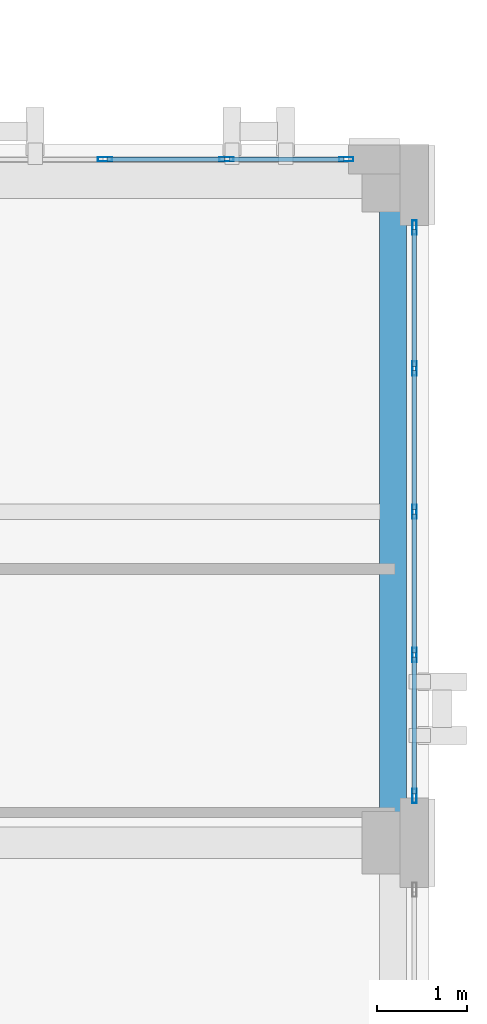
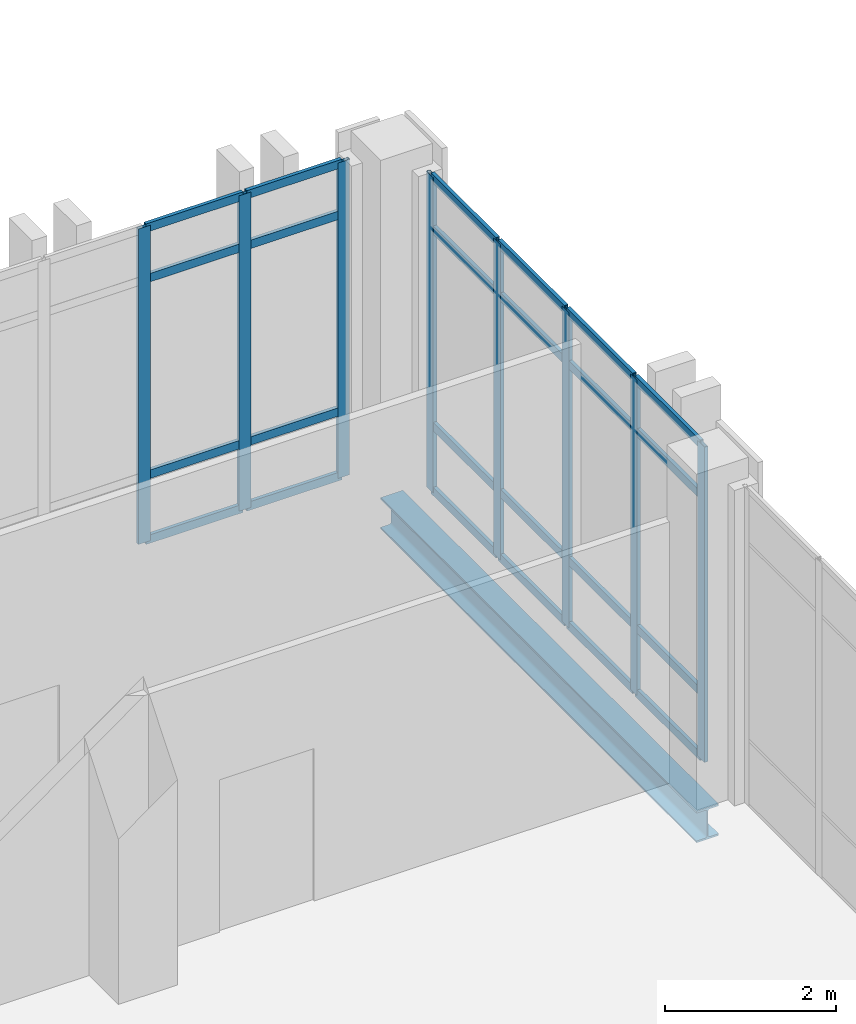
# One storey, part 128 of 189: 32 members, 1 beam, 2 elements without a shape of their own.
"""IFC4 building model written with IfcOpenShell, lengths in metres."""

from ifc_helpers import new_model, si_unit, direction, frame, origin, origin_2d, place, context, subcontext, project, spatial, hollow_rectangle, i_section, extrude, material, layer, layer_set, material_profile, profile_set, type_object, element, aggregate, save


model = new_model("IFC4")

# Units and contexts
model_context = context("Model", 3, precision=1e-05, world=origin(), true_north=direction((0.0, 1.0)))
body_context = subcontext(model_context, "Body", "Model", "MODEL_VIEW")
ifc_project = project(units=[si_unit("LENGTHUNIT", "METRE"), si_unit("AREAUNIT", "SQUARE_METRE"), si_unit("VOLUMEUNIT", "CUBIC_METRE"), si_unit("PLANEANGLEUNIT", "RADIAN"), si_unit("MASSUNIT", "GRAM", prefix="KILO")], contexts=[model_context])

# Site, building, storey
site_placement = place(None, origin())
site = spatial("IfcSite", under=ifc_project, at=site_placement, CompositionType="ELEMENT")
building_placement = place(site_placement, origin())
building = spatial("IfcBuilding", under=site, at=building_placement, Name="Qalavern Law Courts", CompositionType="ELEMENT")
storey_placement = place(building_placement, frame((0.0, 0.0, 5.39990234375)))
storey = spatial("IfcBuildingStorey", under=building, at=storey_placement, Name="L01", CompositionType="ELEMENT", Elevation=5.39990234375)

# Curtain wall, members
ifc_material_1 = material(Name="Anodised aluminium and insulated glazing", Category="aluminium")
ifc_layer = layer(ifc_material_1, 0.172119140625)
ifc_layer_set = layer_set([ifc_layer], Name="Anodised aluminium and insulated glazing")
curtain_wall_type = type_object("IfcCurtainWallType", Name="ENV-CW-COURT", PredefinedType="USERDEFINED", material=ifc_layer_set)
curtain_wall_1_placement = place(storey_placement, origin())
curtain_wall_1 = element("IfcCurtainWall", 1, at=curtain_wall_1_placement, inside=storey, type_object=curtain_wall_type, Name="V6 unitised curtain wall L01 east 3", ObjectType="UNITISED CURTAIN WALL", PredefinedType="USERDEFINED")
ifc_material_2 = material(Name="Anodised aluminium", Category="aluminium")
ifc_material_profile_1 = material_profile(ifc_material_2, hollow_rectangle(XDim=0.048095703125, YDim=0.159912109375, WallThickness=0.00390625, at=origin_2d()), Name="ALU MULLION 48x160")
ifc_profile_set_1 = profile_set([ifc_material_profile_1], Name="Anodised aluminium")
member_type_1 = type_object("IfcMemberType", Name="ENV-CWM-48x160", PredefinedType="MULLION", material=ifc_profile_set_1)
member_1_placement = place(storey_placement, frame((165.83740234375, 15.323974609375, 0.0), z_axis=(0.0, 0.0, 1.0), x_axis=(-1.0, 0.0, 0.0)))
member_1 = element("IfcMember", 2, at=member_1_placement, type_object=member_type_1, Name="CW-03 mullion 1", PredefinedType="MULLION", context=body_context, shape_type="SweptSolid", body=[
    extrude(hollow_rectangle(XDim=0.048095703125, YDim=0.159912109375, WallThickness=0.00390625, at=origin_2d()), origin(), (0.0, 0.0, 1.0), 4.510009765625),
])
member_2_placement = place(storey_placement, frame((165.83740234375, 16.89990234375, 0.0), z_axis=(0.0, 0.0, 1.0), x_axis=(-1.0, 0.0, 0.0)))
member_2 = element("IfcMember", 3, at=member_2_placement, type_object=member_type_1, Name="CW-03 mullion 2", PredefinedType="MULLION", context=body_context, shape_type="SweptSolid", body=[
    extrude(hollow_rectangle(XDim=0.048095703125, YDim=0.159912109375, WallThickness=0.00390625, at=origin_2d()), origin(), (0.0, 0.0, 1.0), 4.510009765625),
])
member_3_placement = place(storey_placement, frame((165.83740234375, 18.5, 0.0), z_axis=(0.0, 0.0, 1.0), x_axis=(-1.0, 0.0, 0.0)))
member_3 = element("IfcMember", 4, at=member_3_placement, type_object=member_type_1, Name="CW-03 mullion 3", PredefinedType="MULLION", context=body_context, shape_type="SweptSolid", body=[
    extrude(hollow_rectangle(XDim=0.048095703125, YDim=0.159912109375, WallThickness=0.00390625, at=origin_2d()), origin(), (0.0, 0.0, 1.0), 4.510009765625),
])
member_4_placement = place(storey_placement, frame((165.83740234375, 20.10009765625, 0.0), z_axis=(0.0, 0.0, 1.0), x_axis=(-1.0, 0.0, 0.0)))
member_4 = element("IfcMember", 5, at=member_4_placement, type_object=member_type_1, Name="CW-03 mullion 4", PredefinedType="MULLION", context=body_context, shape_type="SweptSolid", body=[
    extrude(hollow_rectangle(XDim=0.048095703125, YDim=0.159912109375, WallThickness=0.00390625, at=origin_2d()), origin(), (0.0, 0.0, 1.0), 4.510009765625),
])
member_5_placement = place(storey_placement, frame((165.83740234375, 21.676025390625, 0.0), z_axis=(0.0, 0.0, 1.0), x_axis=(-1.0, 0.0, 0.0)))
member_5 = element("IfcMember", 6, at=member_5_placement, type_object=member_type_1, Name="CW-03 mullion 5", PredefinedType="MULLION", context=body_context, shape_type="SweptSolid", body=[
    extrude(hollow_rectangle(XDim=0.048095703125, YDim=0.159912109375, WallThickness=0.00390625, at=origin_2d()), origin(), (0.0, 0.0, 1.0), 4.510009765625),
])

curtain_wall_2_placement = place(storey_placement, origin())
curtain_wall_2 = element("IfcCurtainWall", 7, at=curtain_wall_2_placement, inside=storey, type_object=curtain_wall_type, Name="V6 unitised curtain wall L01 north 1", ObjectType="UNITISED CURTAIN WALL", PredefinedType="USERDEFINED")
member_6_placement = place(storey_placement, frame((165.075927734375, 22.4375, 0.0), z_axis=(0.0, 0.0, 1.0), x_axis=(0.0, -1.0, 0.0)))
member_6 = element("IfcMember", 8, at=member_6_placement, type_object=member_type_1, Name="CW-03 mullion 1", PredefinedType="MULLION", context=body_context, shape_type="SweptSolid", body=[
    extrude(hollow_rectangle(XDim=0.048095703125, YDim=0.159912109375, WallThickness=0.00390625, at=origin_2d()), origin(), (0.0, 0.0, 1.0), 4.510009765625),
])
member_7_placement = place(storey_placement, frame((163.739990234375, 22.4375, 0.0), z_axis=(0.0, 0.0, 1.0), x_axis=(0.0, -1.0, 0.0)))
member_7 = element("IfcMember", 9, at=member_7_placement, type_object=member_type_1, Name="CW-03 mullion 2", PredefinedType="MULLION", context=body_context, shape_type="SweptSolid", body=[
    extrude(hollow_rectangle(XDim=0.048095703125, YDim=0.159912109375, WallThickness=0.00390625, at=origin_2d()), origin(), (0.0, 0.0, 1.0), 4.510009765625),
])
member_8_placement = place(storey_placement, frame((162.3798828125, 22.4375, 0.0), z_axis=(0.0, 0.0, 1.0), x_axis=(0.0, -1.0, 0.0)))
member_8 = element("IfcMember", 10, at=member_8_placement, type_object=member_type_1, Name="CW-03 mullion 3", PredefinedType="MULLION", context=body_context, shape_type="SweptSolid", body=[
    extrude(hollow_rectangle(XDim=0.048095703125, YDim=0.159912109375, WallThickness=0.00390625, at=origin_2d()), origin(), (0.0, 0.0, 1.0), 4.510009765625),
])

# Member
ifc_material_profile_2 = material_profile(ifc_material_2, hollow_rectangle(XDim=0.048095703125, YDim=0.1201171875, WallThickness=0.00390625, at=origin_2d()), Name="ALU TRANSOM 48x120")
ifc_profile_set_2 = profile_set([ifc_material_profile_2], Name="Anodised aluminium")
member_type_2 = type_object("IfcMemberType", Name="ENV-CWT-48x120", PredefinedType="USERDEFINED", material=ifc_profile_set_2)
member_9_placement = place(storey_placement, frame((165.83740234375, 15.347900390625, 0.024169921875), z_axis=(0.0, 1.0, 0.0), x_axis=(-1.0, 0.0, 0.0)))
member_9 = element("IfcMember", 11, at=member_9_placement, type_object=member_type_2, Name="CW-03 transom 1.1", ObjectType="TRANSOM", PredefinedType="USERDEFINED", context=body_context, shape_type="SweptSolid", body=[
    extrude(hollow_rectangle(XDim=0.048095703125, YDim=0.1201171875, WallThickness=0.00390625, at=origin_2d()), origin(), (0.0, 0.0, 1.0), 1.528076171875),
])

member_10_placement = place(storey_placement, frame((165.83740234375, 15.347900390625, 0.9501953125), z_axis=(0.0, 1.0, 0.0), x_axis=(-1.0, 0.0, 0.0)))
member_10 = element("IfcMember", 12, at=member_10_placement, type_object=member_type_2, Name="CW-03 transom 1.2", ObjectType="TRANSOM", PredefinedType="USERDEFINED", context=body_context, shape_type="SweptSolid", body=[
    extrude(hollow_rectangle(XDim=0.048095703125, YDim=0.1201171875, WallThickness=0.00390625, at=origin_2d()), origin(), (0.0, 0.0, 1.0), 1.528076171875),
])

member_11_placement = place(storey_placement, frame((165.83740234375, 15.347900390625, 3.760009765625), z_axis=(0.0, 1.0, 0.0), x_axis=(-1.0, 0.0, 0.0)))
member_11 = element("IfcMember", 13, at=member_11_placement, type_object=member_type_2, Name="CW-03 transom 1.3", ObjectType="TRANSOM", PredefinedType="USERDEFINED", context=body_context, shape_type="SweptSolid", body=[
    extrude(hollow_rectangle(XDim=0.048095703125, YDim=0.1201171875, WallThickness=0.00390625, at=origin_2d()), origin(), (0.0, 0.0, 1.0), 1.528076171875),
])

member_12_placement = place(storey_placement, frame((165.83740234375, 15.347900390625, 4.486083984375), z_axis=(0.0, 1.0, 0.0), x_axis=(-1.0, 0.0, 0.0)))
member_12 = element("IfcMember", 14, at=member_12_placement, type_object=member_type_2, Name="CW-03 transom 1.4", ObjectType="TRANSOM", PredefinedType="USERDEFINED", context=body_context, shape_type="SweptSolid", body=[
    extrude(hollow_rectangle(XDim=0.048095703125, YDim=0.1201171875, WallThickness=0.00390625, at=origin_2d()), origin(), (0.0, 0.0, 1.0), 1.528076171875),
])

member_13_placement = place(storey_placement, frame((165.83740234375, 16.924072265625, 0.024169921875), z_axis=(0.0, 1.0, 0.0), x_axis=(-1.0, 0.0, 0.0)))
member_13 = element("IfcMember", 15, at=member_13_placement, type_object=member_type_2, Name="CW-03 transom 2.1", ObjectType="TRANSOM", PredefinedType="USERDEFINED", context=body_context, shape_type="SweptSolid", body=[
    extrude(hollow_rectangle(XDim=0.048095703125, YDim=0.1201171875, WallThickness=0.00390625, at=origin_2d()), origin(), (0.0, 0.0, 1.0), 1.552001953125),
])

member_14_placement = place(storey_placement, frame((165.83740234375, 16.924072265625, 0.9501953125), z_axis=(0.0, 1.0, 0.0), x_axis=(-1.0, 0.0, 0.0)))
member_14 = element("IfcMember", 16, at=member_14_placement, type_object=member_type_2, Name="CW-03 transom 2.2", ObjectType="TRANSOM", PredefinedType="USERDEFINED", context=body_context, shape_type="SweptSolid", body=[
    extrude(hollow_rectangle(XDim=0.048095703125, YDim=0.1201171875, WallThickness=0.00390625, at=origin_2d()), origin(), (0.0, 0.0, 1.0), 1.552001953125),
])

member_15_placement = place(storey_placement, frame((165.83740234375, 16.924072265625, 3.760009765625), z_axis=(0.0, 1.0, 0.0), x_axis=(-1.0, 0.0, 0.0)))
member_15 = element("IfcMember", 17, at=member_15_placement, type_object=member_type_2, Name="CW-03 transom 2.3", ObjectType="TRANSOM", PredefinedType="USERDEFINED", context=body_context, shape_type="SweptSolid", body=[
    extrude(hollow_rectangle(XDim=0.048095703125, YDim=0.1201171875, WallThickness=0.00390625, at=origin_2d()), origin(), (0.0, 0.0, 1.0), 1.552001953125),
])

member_16_placement = place(storey_placement, frame((165.83740234375, 16.924072265625, 4.486083984375), z_axis=(0.0, 1.0, 0.0), x_axis=(-1.0, 0.0, 0.0)))
member_16 = element("IfcMember", 18, at=member_16_placement, type_object=member_type_2, Name="CW-03 transom 2.4", ObjectType="TRANSOM", PredefinedType="USERDEFINED", context=body_context, shape_type="SweptSolid", body=[
    extrude(hollow_rectangle(XDim=0.048095703125, YDim=0.1201171875, WallThickness=0.00390625, at=origin_2d()), origin(), (0.0, 0.0, 1.0), 1.552001953125),
])

member_17_placement = place(storey_placement, frame((165.83740234375, 18.52392578125, 0.024169921875), z_axis=(0.0, 1.0, 0.0), x_axis=(-1.0, 0.0, 0.0)))
member_17 = element("IfcMember", 19, at=member_17_placement, type_object=member_type_2, Name="CW-03 transom 3.1", ObjectType="TRANSOM", PredefinedType="USERDEFINED", context=body_context, shape_type="SweptSolid", body=[
    extrude(hollow_rectangle(XDim=0.048095703125, YDim=0.1201171875, WallThickness=0.00390625, at=origin_2d()), origin(), (0.0, 0.0, 1.0), 1.552001953125),
])

member_18_placement = place(storey_placement, frame((165.83740234375, 18.52392578125, 0.9501953125), z_axis=(0.0, 1.0, 0.0), x_axis=(-1.0, 0.0, 0.0)))
member_18 = element("IfcMember", 20, at=member_18_placement, type_object=member_type_2, Name="CW-03 transom 3.2", ObjectType="TRANSOM", PredefinedType="USERDEFINED", context=body_context, shape_type="SweptSolid", body=[
    extrude(hollow_rectangle(XDim=0.048095703125, YDim=0.1201171875, WallThickness=0.00390625, at=origin_2d()), origin(), (0.0, 0.0, 1.0), 1.552001953125),
])

member_19_placement = place(storey_placement, frame((165.83740234375, 18.52392578125, 3.760009765625), z_axis=(0.0, 1.0, 0.0), x_axis=(-1.0, 0.0, 0.0)))
member_19 = element("IfcMember", 21, at=member_19_placement, type_object=member_type_2, Name="CW-03 transom 3.3", ObjectType="TRANSOM", PredefinedType="USERDEFINED", context=body_context, shape_type="SweptSolid", body=[
    extrude(hollow_rectangle(XDim=0.048095703125, YDim=0.1201171875, WallThickness=0.00390625, at=origin_2d()), origin(), (0.0, 0.0, 1.0), 1.552001953125),
])

member_20_placement = place(storey_placement, frame((165.83740234375, 18.52392578125, 4.486083984375), z_axis=(0.0, 1.0, 0.0), x_axis=(-1.0, 0.0, 0.0)))
member_20 = element("IfcMember", 22, at=member_20_placement, type_object=member_type_2, Name="CW-03 transom 3.4", ObjectType="TRANSOM", PredefinedType="USERDEFINED", context=body_context, shape_type="SweptSolid", body=[
    extrude(hollow_rectangle(XDim=0.048095703125, YDim=0.1201171875, WallThickness=0.00390625, at=origin_2d()), origin(), (0.0, 0.0, 1.0), 1.552001953125),
])

member_21_placement = place(storey_placement, frame((165.83740234375, 20.1240234375, 0.024169921875), z_axis=(0.0, 1.0, 0.0), x_axis=(-1.0, 0.0, 0.0)))
member_21 = element("IfcMember", 23, at=member_21_placement, type_object=member_type_2, Name="CW-03 transom 4.1", ObjectType="TRANSOM", PredefinedType="USERDEFINED", context=body_context, shape_type="SweptSolid", body=[
    extrude(hollow_rectangle(XDim=0.048095703125, YDim=0.1201171875, WallThickness=0.00390625, at=origin_2d()), origin(), (0.0, 0.0, 1.0), 1.528076171875),
])

member_22_placement = place(storey_placement, frame((165.83740234375, 20.1240234375, 0.9501953125), z_axis=(0.0, 1.0, 0.0), x_axis=(-1.0, 0.0, 0.0)))
member_22 = element("IfcMember", 24, at=member_22_placement, type_object=member_type_2, Name="CW-03 transom 4.2", ObjectType="TRANSOM", PredefinedType="USERDEFINED", context=body_context, shape_type="SweptSolid", body=[
    extrude(hollow_rectangle(XDim=0.048095703125, YDim=0.1201171875, WallThickness=0.00390625, at=origin_2d()), origin(), (0.0, 0.0, 1.0), 1.528076171875),
])

member_23_placement = place(storey_placement, frame((165.83740234375, 20.1240234375, 3.760009765625), z_axis=(0.0, 1.0, 0.0), x_axis=(-1.0, 0.0, 0.0)))
member_23 = element("IfcMember", 25, at=member_23_placement, type_object=member_type_2, Name="CW-03 transom 4.3", ObjectType="TRANSOM", PredefinedType="USERDEFINED", context=body_context, shape_type="SweptSolid", body=[
    extrude(hollow_rectangle(XDim=0.048095703125, YDim=0.1201171875, WallThickness=0.00390625, at=origin_2d()), origin(), (0.0, 0.0, 1.0), 1.528076171875),
])

member_24_placement = place(storey_placement, frame((165.83740234375, 20.1240234375, 4.486083984375), z_axis=(0.0, 1.0, 0.0), x_axis=(-1.0, 0.0, 0.0)))
member_24 = element("IfcMember", 26, at=member_24_placement, type_object=member_type_2, Name="CW-03 transom 4.4", ObjectType="TRANSOM", PredefinedType="USERDEFINED", context=body_context, shape_type="SweptSolid", body=[
    extrude(hollow_rectangle(XDim=0.048095703125, YDim=0.1201171875, WallThickness=0.00390625, at=origin_2d()), origin(), (0.0, 0.0, 1.0), 1.528076171875),
])

aggregate(curtain_wall_1, [member_1, member_2, member_3, member_4, member_5, member_9, member_10, member_11, member_12, member_13, member_14, member_15, member_16, member_17, member_18, member_19, member_20, member_21, member_22, member_23, member_24])

member_25_placement = place(storey_placement, frame((165.052001953125, 22.4375, 0.024169921875), z_axis=(-1.0, 0.0, 0.0), x_axis=(0.0, -1.0, 0.0)))
member_25 = element("IfcMember", 27, at=member_25_placement, type_object=member_type_2, Name="CW-03 transom 1.1", ObjectType="TRANSOM", PredefinedType="USERDEFINED", context=body_context, shape_type="SweptSolid", body=[
    extrude(hollow_rectangle(XDim=0.048095703125, YDim=0.1201171875, WallThickness=0.00390625, at=origin_2d()), origin(), (0.0, 0.0, 1.0), 1.2880859375),
])

member_26_placement = place(storey_placement, frame((165.052001953125, 22.4375, 0.9501953125), z_axis=(-1.0, 0.0, 0.0), x_axis=(0.0, -1.0, 0.0)))
member_26 = element("IfcMember", 28, at=member_26_placement, type_object=member_type_2, Name="CW-03 transom 1.2", ObjectType="TRANSOM", PredefinedType="USERDEFINED", context=body_context, shape_type="SweptSolid", body=[
    extrude(hollow_rectangle(XDim=0.048095703125, YDim=0.1201171875, WallThickness=0.00390625, at=origin_2d()), origin(), (0.0, 0.0, 1.0), 1.2880859375),
])

member_27_placement = place(storey_placement, frame((165.052001953125, 22.4375, 3.760009765625), z_axis=(-1.0, 0.0, 0.0), x_axis=(0.0, -1.0, 0.0)))
member_27 = element("IfcMember", 29, at=member_27_placement, type_object=member_type_2, Name="CW-03 transom 1.3", ObjectType="TRANSOM", PredefinedType="USERDEFINED", context=body_context, shape_type="SweptSolid", body=[
    extrude(hollow_rectangle(XDim=0.048095703125, YDim=0.1201171875, WallThickness=0.00390625, at=origin_2d()), origin(), (0.0, 0.0, 1.0), 1.2880859375),
])

member_28_placement = place(storey_placement, frame((165.052001953125, 22.4375, 4.486083984375), z_axis=(-1.0, 0.0, 0.0), x_axis=(0.0, -1.0, 0.0)))
member_28 = element("IfcMember", 30, at=member_28_placement, type_object=member_type_2, Name="CW-03 transom 1.4", ObjectType="TRANSOM", PredefinedType="USERDEFINED", context=body_context, shape_type="SweptSolid", body=[
    extrude(hollow_rectangle(XDim=0.048095703125, YDim=0.1201171875, WallThickness=0.00390625, at=origin_2d()), origin(), (0.0, 0.0, 1.0), 1.2880859375),
])

member_29_placement = place(storey_placement, frame((163.716064453125, 22.4375, 0.024169921875), z_axis=(-1.0, 0.0, 0.0), x_axis=(0.0, -1.0, 0.0)))
member_29 = element("IfcMember", 31, at=member_29_placement, type_object=member_type_2, Name="CW-03 transom 2.1", ObjectType="TRANSOM", PredefinedType="USERDEFINED", context=body_context, shape_type="SweptSolid", body=[
    extrude(hollow_rectangle(XDim=0.048095703125, YDim=0.1201171875, WallThickness=0.00390625, at=origin_2d()), origin(), (0.0, 0.0, 1.0), 1.31201171875),
])

member_30_placement = place(storey_placement, frame((163.716064453125, 22.4375, 0.9501953125), z_axis=(-1.0, 0.0, 0.0), x_axis=(0.0, -1.0, 0.0)))
member_30 = element("IfcMember", 32, at=member_30_placement, type_object=member_type_2, Name="CW-03 transom 2.2", ObjectType="TRANSOM", PredefinedType="USERDEFINED", context=body_context, shape_type="SweptSolid", body=[
    extrude(hollow_rectangle(XDim=0.048095703125, YDim=0.1201171875, WallThickness=0.00390625, at=origin_2d()), origin(), (0.0, 0.0, 1.0), 1.31201171875),
])

member_31_placement = place(storey_placement, frame((163.716064453125, 22.4375, 3.760009765625), z_axis=(-1.0, 0.0, 0.0), x_axis=(0.0, -1.0, 0.0)))
member_31 = element("IfcMember", 33, at=member_31_placement, type_object=member_type_2, Name="CW-03 transom 2.3", ObjectType="TRANSOM", PredefinedType="USERDEFINED", context=body_context, shape_type="SweptSolid", body=[
    extrude(hollow_rectangle(XDim=0.048095703125, YDim=0.1201171875, WallThickness=0.00390625, at=origin_2d()), origin(), (0.0, 0.0, 1.0), 1.31201171875),
])

member_32_placement = place(storey_placement, frame((163.716064453125, 22.4375, 4.486083984375), z_axis=(-1.0, 0.0, 0.0), x_axis=(0.0, -1.0, 0.0)))
member_32 = element("IfcMember", 34, at=member_32_placement, type_object=member_type_2, Name="CW-03 transom 2.4", ObjectType="TRANSOM", PredefinedType="USERDEFINED", context=body_context, shape_type="SweptSolid", body=[
    extrude(hollow_rectangle(XDim=0.048095703125, YDim=0.1201171875, WallThickness=0.00390625, at=origin_2d()), origin(), (0.0, 0.0, 1.0), 1.31201171875),
])

aggregate(curtain_wall_2, [member_6, member_7, member_8, member_25, member_26, member_27, member_28, member_29, member_30, member_31, member_32])

# Beam
ifc_material_3 = material(Name="Steel S355", Category="steel")
ifc_material_profile_3 = material_profile(ifc_material_3, i_section(OverallWidth=0.300048828125, OverallDepth=0.449951171875, WebThickness=0.013916015625, FlangeThickness=0.02587890625, FilletRadius=0.027099609375, at=origin_2d()), Name="HEB 450")
ifc_profile_set_3 = profile_set([ifc_material_profile_3], Name="Steel S355")
beam_type = type_object("IfcBeamType", Name="STR-SP-HEB450", PredefinedType="SPANDREL", material=ifc_profile_set_3)
beam_placement = place(storey_placement, frame((165.60009765625, 14.800048828125, -0.52490234375), z_axis=(0.0, 1.0, 0.0), x_axis=(-1.0, 0.0, 0.0)))
element("IfcBeam", 35, at=beam_placement, inside=storey, type_object=beam_type, Name="V6 Y-beam 9-3 L01", PredefinedType="SPANDREL", context=body_context, shape_type="SweptSolid", body=[
    extrude(i_section(OverallWidth=0.300048828125, OverallDepth=0.449951171875, WebThickness=0.013916015625, FlangeThickness=0.02587890625, FilletRadius=0.027099609375, at=origin_2d()), origin(), (0.0, 0.0, 1.0), 7.39990234375),
])

save(model, "model.ifc")
